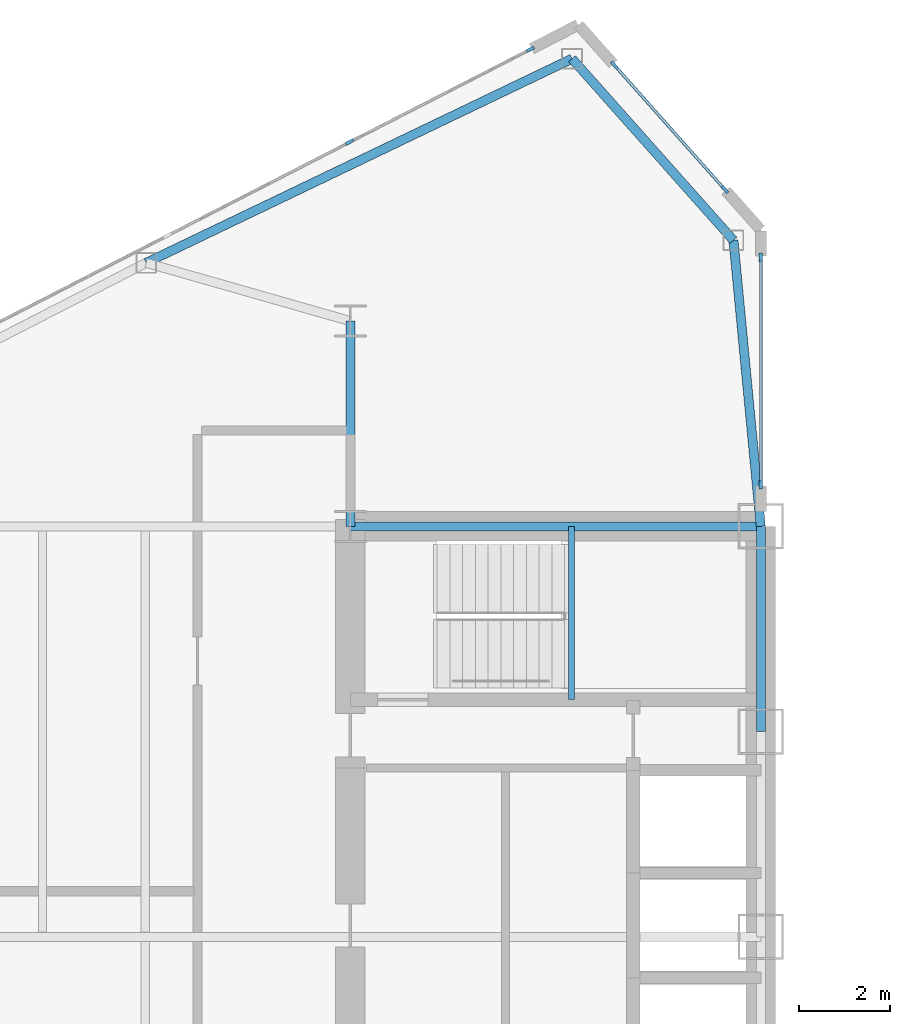
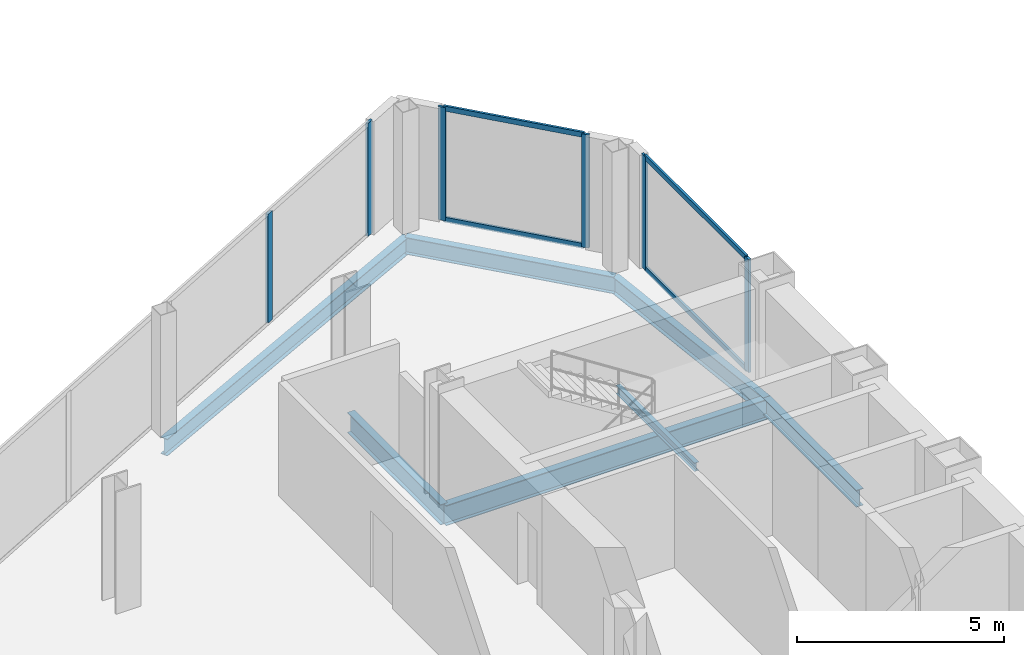
# One storey, part 7 of 23: 10 members, 7 beams, 3 elements without a shape of their own.
"""IFC4 building model written with IfcOpenShell, lengths in metres."""

from ifc_helpers import new_model, si_unit, direction, frame, origin, origin_2d, place, context, subcontext, project, spatial, rectangle, i_section, extrude, source, transform, mapped, material, layer, layer_set, material_profile, profile_set, type_object, type_shapes, element, aggregate, save


model = new_model("IFC4")

# Units and contexts
model_context = context("Model", 3, precision=1e-05, world=origin(), true_north=direction((0.0, 1.0)))
body_context = subcontext(model_context, "Body", "Model", "MODEL_VIEW")
ifc_project = project(units=[si_unit("LENGTHUNIT", "METRE"), si_unit("AREAUNIT", "SQUARE_METRE"), si_unit("VOLUMEUNIT", "CUBIC_METRE"), si_unit("PLANEANGLEUNIT", "RADIAN"), si_unit("MASSUNIT", "GRAM", prefix="KILO")], contexts=[model_context])

# Site, building, storey
site_placement = place(None, origin())
site = spatial("IfcSite", under=ifc_project, at=site_placement, CompositionType="ELEMENT")
building_placement = place(site_placement, origin())
building = spatial("IfcBuilding", under=site, at=building_placement, Name="Seokmaru Belvedere", CompositionType="ELEMENT")
storey_placement = place(building_placement, frame((0.0, 0.0, 132.0)))
storey = spatial("IfcBuildingStorey", under=building, at=storey_placement, Name="L35", CompositionType="ELEMENT", Elevation=132.0)

# Beams
ifc_material_1 = material(Name="Steel SM355 (355 MPa)", Category="steel")
ifc_material_profile_1 = material_profile(ifc_material_1, i_section(OverallWidth=0.199951171875, OverallDepth=0.5, WebThickness=0.010009765625, FlangeThickness=0.01611328125, at=origin_2d()), Name="H-500x200x10x16")
ifc_profile_set_1 = profile_set([ifc_material_profile_1], Name="Steel SM355 (355 MPa)")
beam_type_1 = type_object("IfcBeamType", Name="Perimeter Spandrel Beam H-500", PredefinedType="SPANDREL", material=ifc_profile_set_1)
shared_shape_1 = source(origin(), body_context, "Body", "SweptSolid", [
    extrude(i_section(OverallWidth=0.199951171875, OverallDepth=0.5, WebThickness=0.010009765625, FlangeThickness=0.01611328125, at=origin_2d()), origin(), (0.0, 0.0, 1.0), 4.5),
])
beam_1_placement = place(storey_placement, frame((-27.5, 9.0, -0.469970703125), z_axis=(0.0, 1.0, 0.0), x_axis=(-1.0, 0.0, 0.0)))
element("IfcBeam", 1, at=beam_1_placement, inside=storey, type_object=beam_type_1, Name="L35 W Portal Spine Spandrel 5", PredefinedType="SPANDREL", context=body_context, shape_type="MappedRepresentation", body=[
    mapped(shared_shape_1, transform((0.0, 0.0, 0.0), scale=1.0)),
])
ifc_material_profile_2 = material_profile(ifc_material_1, i_section(OverallWidth=0.199951171875, OverallDepth=0.60009765625, WebThickness=0.010986328125, FlangeThickness=0.01708984375, at=origin_2d()), Name="H-600x200x11x17")
ifc_profile_set_2 = profile_set([ifc_material_profile_2], Name="Steel SM355 (355 MPa)")
beam_type_2 = type_object("IfcBeamType", Name="Primary Floor Girder H-600", PredefinedType="BEAM", material=ifc_profile_set_2)
shared_shape_2 = source(origin(), body_context, "Body", "SweptSolid", [
    extrude(i_section(OverallWidth=0.199951171875, OverallDepth=0.60009765625, WebThickness=0.010986328125, FlangeThickness=0.01708984375, at=origin_2d()), origin(), (0.0, 0.0, 1.0), 9.0),
])
beam_2_placement = place(storey_placement, frame((-36.5, 13.5, -0.52001953125), z_axis=(1.0, 0.0, 0.0), x_axis=(0.0, 1.0, 0.0)))
element("IfcBeam", 2, at=beam_2_placement, inside=storey, type_object=beam_type_2, Name="L35 W Core Tie Girder 4", PredefinedType="BEAM", context=body_context, shape_type="MappedRepresentation", body=[
    mapped(shared_shape_2, transform((0.0, 0.0, 0.0), scale=1.0)),
])
shared_shape_3 = source(origin(), body_context, "Body", "SweptSolid", [
    extrude(i_section(OverallWidth=0.199951171875, OverallDepth=0.60009765625, WebThickness=0.010986328125, FlangeThickness=0.01708984375, at=origin_2d()), origin(), (0.0, 0.0, 1.0), 4.5),
])
type_shapes(beam_type_2, [shared_shape_2, shared_shape_3])
beam_3_placement = place(storey_placement, frame((-36.5, 13.5, -0.52001953125), z_axis=(0.0, 1.0, 0.0), x_axis=(-1.0, 0.0, 0.0)))
element("IfcBeam", 3, at=beam_3_placement, inside=storey, type_object=beam_type_2, Name="L35 W Core Shoulder Girder N", PredefinedType="BEAM", context=body_context, shape_type="MappedRepresentation", body=[
    mapped(shared_shape_3, transform((0.0, 0.0, 0.0), scale=1.0)),
])
shared_shape_4 = source(origin(), body_context, "Body", "SweptSolid", [
    extrude(i_section(OverallWidth=0.199951171875, OverallDepth=0.5, WebThickness=0.010009765625, FlangeThickness=0.01611328125, at=origin_2d()), origin(), (0.0, 0.0, 1.0), 10.353759765625),
])
beam_4_placement = place(storey_placement, frame((-31.6396484375, 23.75390625, -0.469970703125), z_axis=(-0.901713202822, -0.432334708134, 0.0), x_axis=(0.432334708134, -0.901713202822, 0.0)))
element("IfcBeam", 4, at=beam_4_placement, inside=storey, type_object=beam_type_1, Name="L35 W Faceted Flank Spandrel N-1", PredefinedType="SPANDREL", context=body_context, shape_type="MappedRepresentation", body=[
    mapped(shared_shape_4, transform((0.0, 0.0, 0.0), scale=1.0)),
])
shared_shape_5 = source(origin(), body_context, "Body", "SweptSolid", [
    extrude(i_section(OverallWidth=0.199951171875, OverallDepth=0.5, WebThickness=0.010009765625, FlangeThickness=0.01611328125, at=origin_2d()), origin(), (0.0, 0.0, 1.0), 5.32763671875),
])
beam_5_placement = place(storey_placement, frame((-31.6396484375, 23.75390625, -0.469970703125), z_axis=(0.66436952742, -0.74740426212, 0.0), x_axis=(0.74740426212, 0.66436952742, 0.0)))
element("IfcBeam", 5, at=beam_5_placement, inside=storey, type_object=beam_type_1, Name="L35 W Shoulder Chamfer Spandrel N", PredefinedType="SPANDREL", context=body_context, shape_type="MappedRepresentation", body=[
    mapped(shared_shape_5, transform((0.0, 0.0, 0.0), scale=1.0)),
])
shared_shape_6 = source(origin(), body_context, "Body", "SweptSolid", [
    extrude(i_section(OverallWidth=0.199951171875, OverallDepth=0.5, WebThickness=0.010009765625, FlangeThickness=0.01611328125, at=origin_2d()), origin(), (0.0, 0.0, 1.0), 6.300537109375),
])
type_shapes(beam_type_1, [shared_shape_1, shared_shape_4, shared_shape_5, shared_shape_6])
beam_6_placement = place(storey_placement, frame((-28.10009765625, 19.77197265625, -0.469970703125), z_axis=(0.095244287992, -0.995453929424, 0.0), x_axis=(0.995453929424, 0.095244287992, 0.0)))
element("IfcBeam", 6, at=beam_6_placement, inside=storey, type_object=beam_type_1, Name="L35 W Shoulder Spine Spandrel N", PredefinedType="SPANDREL", context=body_context, shape_type="MappedRepresentation", body=[
    mapped(shared_shape_6, transform((0.0, 0.0, 0.0), scale=1.0)),
])

# Curtain wall, members
ifc_material_2 = material(Name="Bronze Triple Insulating Glass", Category="glass")
ifc_layer = layer(ifc_material_2, 0.195068359375)
ifc_layer_set = layer_set([ifc_layer], Name="Bronze Triple Insulating Glass")
curtain_wall_type = type_object("IfcCurtainWallType", Name="Sky-Lobby and Mid-Rise Curtain Wall System CW-4", PredefinedType="NOTDEFINED", material=ifc_layer_set)
curtain_wall_1_placement = place(storey_placement, origin())
curtain_wall_1 = element("IfcCurtainWall", 7, at=curtain_wall_1_placement, inside=storey, type_object=curtain_wall_type, Name="L35 Curtain Wall WSP_2", PredefinedType="NOTDEFINED")
ifc_material_3 = material(Name="Anodised Bronze Aluminium", Category="aluminium")
ifc_material_profile_3 = material_profile(ifc_material_3, rectangle(XDim=0.070068359375, YDim=0.195068359375, at=origin_2d()), Name="CW-M-70x195")
ifc_profile_set_3 = profile_set([ifc_material_profile_3], Name="Anodised Bronze Aluminium")
member_type_1 = type_object("IfcMemberType", Name="Bronze Unitised Mullion 70x195", PredefinedType="MULLION", material=ifc_profile_set_3)
shared_shape_7 = source(origin(), body_context, "Body", "SweptSolid", [
    extrude(rectangle(XDim=0.070068359375, YDim=0.195068359375, at=origin_2d()), origin(), (0.0, 0.0, 1.0), 3.340087890625),
])
member_1_placement = place(storey_placement, frame((-27.5, 14.4150390625, 0.0), z_axis=(0.0, 0.0, 1.0), x_axis=(-1.0, 0.0, 0.0)))
member_1 = element("IfcMember", 8, at=member_1_placement, type_object=member_type_1, Name="CW:L35:WSP_2 Mullion 1", PredefinedType="MULLION", context=body_context, shape_type="MappedRepresentation", body=[
    mapped(shared_shape_7, transform((0.0, 0.0, 0.0), scale=1.0)),
])
member_2_placement = place(storey_placement, frame((-27.5, 19.39501953125, 0.0), z_axis=(0.0, 0.0, 1.0), x_axis=(-1.0, 0.0, 0.0)))
member_2 = element("IfcMember", 9, at=member_2_placement, type_object=member_type_1, Name="CW:L35:WSP_2 Mullion 2", PredefinedType="MULLION", context=body_context, shape_type="MappedRepresentation", body=[
    mapped(shared_shape_7, transform((0.0, 0.0, 0.0), scale=1.0)),
])

curtain_wall_2_placement = place(storey_placement, origin())
curtain_wall_2 = element("IfcCurtainWall", 10, at=curtain_wall_2_placement, inside=storey, type_object=curtain_wall_type, Name="L35 Curtain Wall WF2", PredefinedType="NOTDEFINED")
member_3_placement = place(storey_placement, frame((-28.287353515625, 20.8857421875, 0.0), z_axis=(0.0, 0.0, 1.0), x_axis=(-0.747409774804, -0.664363325694, 0.0)))
member_3 = element("IfcMember", 11, at=member_3_placement, type_object=member_type_1, Name="CW:L35:WF2 Mullion 1", PredefinedType="MULLION", context=body_context, shape_type="MappedRepresentation", body=[
    mapped(shared_shape_7, transform((0.0, 0.0, 0.0), scale=1.0)),
])
member_4_placement = place(storey_placement, frame((-30.712646484375, 23.6142578125, 0.0), z_axis=(0.0, 0.0, 1.0), x_axis=(-0.747409774804, -0.664363325694, 0.0)))
member_4 = element("IfcMember", 12, at=member_4_placement, type_object=member_type_1, Name="CW:L35:WF2 Mullion 2", PredefinedType="MULLION", context=body_context, shape_type="MappedRepresentation", body=[
    mapped(shared_shape_7, transform((0.0, 0.0, 0.0), scale=1.0)),
])

# Curtain wall, member
curtain_wall_3_placement = place(storey_placement, origin())
curtain_wall_3 = element("IfcCurtainWall", 13, at=curtain_wall_3_placement, inside=storey, type_object=curtain_wall_type, Name="L35 Curtain Wall WF3", PredefinedType="NOTDEFINED")
member_5_placement = place(storey_placement, frame((-32.55419921875, 23.958984375, 0.0), z_axis=(0.0, 0.0, 1.0), x_axis=(0.456554528263, -0.889695432562, 0.0)))
member_5 = element("IfcMember", 14, at=member_5_placement, type_object=member_type_1, Name="CW:L35:WF3 Mullion 1", PredefinedType="MULLION", context=body_context, shape_type="MappedRepresentation", body=[
    mapped(shared_shape_7, transform((0.0, 0.0, 0.0), scale=1.0)),
])

# Member
ifc_material_profile_4 = material_profile(ifc_material_3, rectangle(XDim=0.06494140625, YDim=0.14990234375, at=origin_2d()), Name="CW-T-65x150")
ifc_profile_set_4 = profile_set([ifc_material_profile_4], Name="Anodised Bronze Aluminium")
member_type_2 = type_object("IfcMemberType", Name="Bronze Unitised Transom 65x150", PredefinedType="USERDEFINED", material=ifc_profile_set_4)
shared_shape_8 = source(origin(), body_context, "Body", "SweptSolid", [
    extrude(rectangle(XDim=0.06494140625, YDim=0.14990234375, at=origin_2d()), origin(), (0.0, 0.0, 1.0), 4.91015625),
])
member_6_placement = place(storey_placement, frame((-27.5, 14.449951171875, 0.032470703125), z_axis=(0.0, 1.0, 0.0), x_axis=(-1.0, 0.0, 0.0)))
member_6 = element("IfcMember", 15, at=member_6_placement, type_object=member_type_2, Name="CW:L35:WSP_2 Continuous Transom 1", ObjectType="TRANSOM", PredefinedType="USERDEFINED", context=body_context, shape_type="MappedRepresentation", body=[
    mapped(shared_shape_8, transform((0.0, 0.0, 0.0), scale=1.0)),
])

member_7_placement = place(storey_placement, frame((-27.5, 14.449951171875, 3.3076171875), z_axis=(0.0, 1.0, 0.0), x_axis=(-1.0, 0.0, 0.0)))
member_7 = element("IfcMember", 16, at=member_7_placement, type_object=member_type_2, Name="CW:L35:WSP_2 Continuous Transom 2", ObjectType="TRANSOM", PredefinedType="USERDEFINED", context=body_context, shape_type="MappedRepresentation", body=[
    mapped(shared_shape_8, transform((0.0, 0.0, 0.0), scale=1.0)),
])

aggregate(curtain_wall_1, [member_1, member_2, member_6, member_7])

shared_shape_9 = source(origin(), body_context, "Body", "SweptSolid", [
    extrude(rectangle(XDim=0.06494140625, YDim=0.14990234375, at=origin_2d()), origin(), (0.0, 0.0, 1.0), 3.580810546875),
])
type_shapes(member_type_2, [shared_shape_8, shared_shape_9])
member_8_placement = place(storey_placement, frame((-28.310546875, 20.911865234375, 0.032470703125), z_axis=(-0.66436383883, 0.747409318684, 0.0), x_axis=(-0.747409318684, -0.66436383883, 0.0)))
member_8 = element("IfcMember", 17, at=member_8_placement, type_object=member_type_2, Name="CW:L35:WF2 Continuous Transom 1", ObjectType="TRANSOM", PredefinedType="USERDEFINED", context=body_context, shape_type="MappedRepresentation", body=[
    mapped(shared_shape_9, transform((0.0, 0.0, 0.0), scale=1.0)),
])

member_9_placement = place(storey_placement, frame((-28.310546875, 20.911865234375, 3.3076171875), z_axis=(-0.66436383883, 0.747409318684, 0.0), x_axis=(-0.747409318684, -0.66436383883, 0.0)))
member_9 = element("IfcMember", 18, at=member_9_placement, type_object=member_type_2, Name="CW:L35:WF2 Continuous Transom 2", ObjectType="TRANSOM", PredefinedType="USERDEFINED", context=body_context, shape_type="MappedRepresentation", body=[
    mapped(shared_shape_9, transform((0.0, 0.0, 0.0), scale=1.0)),
])

aggregate(curtain_wall_2, [member_3, member_4, member_8, member_9])

shared_shape_10 = source(origin(), body_context, "Body", "SweptSolid", [
    extrude(rectangle(XDim=0.070068359375, YDim=0.195068359375, at=origin_2d()), origin(), (0.0, 0.0, 1.0), 3.2099609375),
])
type_shapes(member_type_1, [shared_shape_7, shared_shape_10])
member_10_placement = place(storey_placement, frame((-36.51806640625, 21.925048828125, 0.06494140625), z_axis=(0.0, 0.0, 1.0), x_axis=(0.456554528263, -0.889695432562, 0.0)))
member_10 = element("IfcMember", 19, at=member_10_placement, type_object=member_type_1, Name="CW:L35:WF3 Mullion 2", PredefinedType="MULLION", context=body_context, shape_type="MappedRepresentation", body=[
    mapped(shared_shape_10, transform((0.0, 0.0, 0.0), scale=1.0)),
])

aggregate(curtain_wall_3, [member_5, member_10])

# Beam
ifc_material_profile_5 = material_profile(ifc_material_1, i_section(OverallWidth=0.125, OverallDepth=0.25, WebThickness=0.006103515625, FlangeThickness=0.009033203125, at=origin_2d()), Name="H-250x125x6x9")
ifc_profile_set_5 = profile_set([ifc_material_profile_5], Name="Steel SM355 (355 MPa)")
beam_type_3 = type_object("IfcBeamType", Name="Stair Mid-Landing Support Beam H-250", PredefinedType="JOIST", material=ifc_profile_set_5)
shared_shape_11 = source(origin(), body_context, "Body", "SweptSolid", [
    extrude(i_section(OverallWidth=0.125, OverallDepth=0.25, WebThickness=0.006103515625, FlangeThickness=0.009033203125, at=origin_2d()), origin(), (0.0, 0.0, 1.0), 3.800048828125),
])
type_shapes(beam_type_3, [shared_shape_11])
beam_7_placement = place(storey_placement, frame((-31.64990234375, 9.699951171875, 1.47509765625), z_axis=(0.0, 1.0, 0.0), x_axis=(-1.0, 0.0, 0.0)))
element("IfcBeam", 20, at=beam_7_placement, inside=storey, type_object=beam_type_3, Name="L35 Stair ST-W2 Mid-Landing Support Beam 1", PredefinedType="JOIST", context=body_context, shape_type="MappedRepresentation", body=[
    mapped(shared_shape_11, transform((0.0, 0.0, 0.0), scale=1.0)),
])

save(model, "model.ifc")
